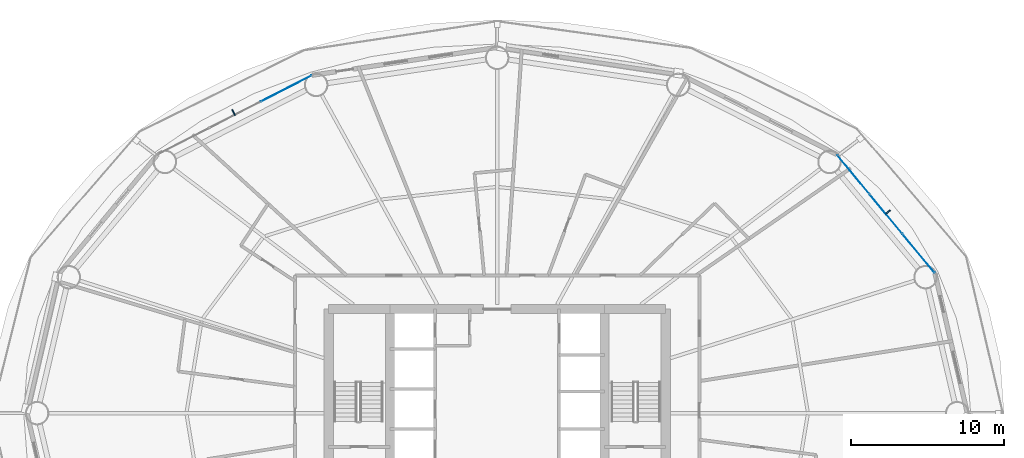
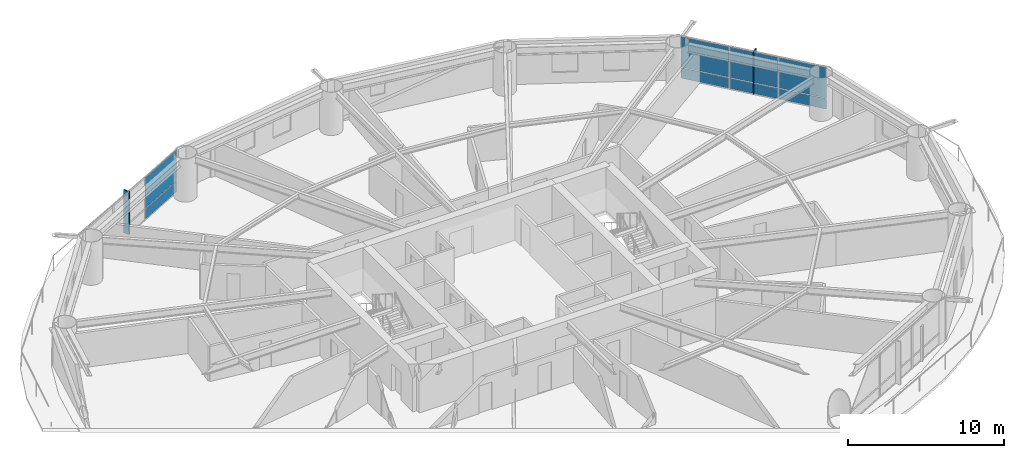
# One storey, part 18 of 26: 10 plates, 2 elements without a shape of their own.
"""IFC4 building model written with IfcOpenShell, lengths in metres."""

from ifc_helpers import new_model, si_unit, direction, frame, origin, origin_2d, place, context, subcontext, project, spatial, rectangle, extrude, material, layer, layer_set, type_object, element, aggregate, save


model = new_model("IFC4")

# Units and contexts
model_context = context("Model", 3, precision=1e-05, world=origin(), true_north=direction((0.0, 1.0)))
body_context = subcontext(model_context, "Body", "Model", "MODEL_VIEW")
ifc_project = project(units=[si_unit("LENGTHUNIT", "METRE"), si_unit("AREAUNIT", "SQUARE_METRE"), si_unit("VOLUMEUNIT", "CUBIC_METRE"), si_unit("PLANEANGLEUNIT", "RADIAN"), si_unit("MASSUNIT", "GRAM", prefix="KILO")], contexts=[model_context])

# Site, building, storey
site_placement = place(None, origin())
site = spatial("IfcSite", under=ifc_project, at=site_placement, CompositionType="ELEMENT")
building_placement = place(site_placement, origin())
building = spatial("IfcBuilding", under=site, at=building_placement, Name="Sarneth Arch Tower", CompositionType="ELEMENT")
storey_placement = place(building_placement, frame((0.0, 0.0, 64.199951171875)))
storey = spatial("IfcBuildingStorey", under=building, at=storey_placement, Name="L15", CompositionType="ELEMENT", Elevation=64.199951171875)

# Curtain wall, plates
ifc_material_1 = material(Name="Anodised aluminium Type AA25 and solar-control low-e laminated IGU", Category="aluminium")
ifc_layer_1 = layer(ifc_material_1, 0.159912109375)
ifc_layer_set_1 = layer_set([ifc_layer_1], Name="Anodised aluminium Type AA25 and solar-control low-e laminated IGU")
curtain_wall_type = type_object("IfcCurtainWallType", Name="CW-HOTEL-LOW", PredefinedType="NOTDEFINED", material=ifc_layer_set_1)
curtain_wall_1_placement = place(storey_placement, origin())
curtain_wall_1 = element("IfcCurtainWall", 1, at=curtain_wall_1_placement, inside=storey, type_object=curtain_wall_type, Name="L15 Unitised curtain wall facet 02", PredefinedType="NOTDEFINED")
ifc_material_2 = material(Name="Solar-control low-e laminated IGU", Category="glass")
ifc_layer_2 = layer(ifc_material_2, 0.028076171875)
ifc_layer_set_2 = layer_set([ifc_layer_2], Name="Solar-control low-e laminated IGU")
plate_type_1 = type_object("IfcPlateType", Name="CW-PANEL", PredefinedType="CURTAIN_PANEL", material=ifc_layer_set_2)
plate_1_placement = place(storey_placement, frame((75.503662109375, 52.441162109375, 0.06005859375), z_axis=(0.0, 0.0, 1.0), x_axis=(-0.637291340827, 0.770622960278, 0.0)))
plate_1 = element("IfcPlate", 2, at=plate_1_placement, type_object=plate_type_1, Name="Curtain wall glazed vision pane CW-L15-F02/P00-00", PredefinedType="CURTAIN_PANEL", context=body_context, shape_type="SweptSolid", body=[
    extrude(rectangle(XDim=3.260986328125, YDim=0.028076171875, at=origin_2d()), origin(), (0.0, 0.0, 1.0), 0.81005859375),
])
plate_2_placement = place(storey_placement, frame((75.503662109375, 52.441162109375, 0.93017578125), z_axis=(0.0, 0.0, 1.0), x_axis=(-0.637291340827, 0.770622960278, 0.0)))
plate_2 = element("IfcPlate", 3, at=plate_2_placement, type_object=plate_type_1, Name="Curtain wall glazed vision pane CW-L15-F02/P00-01", PredefinedType="CURTAIN_PANEL", context=body_context, shape_type="SweptSolid", body=[
    extrude(rectangle(XDim=3.260986328125, YDim=0.028076171875, at=origin_2d()), origin(), (0.0, 0.0, 1.0), 2.389892578125),
])
plate_3_placement = place(storey_placement, frame((73.37744140625, 55.01220703125, 0.06005859375), z_axis=(0.0, 0.0, 1.0), x_axis=(-0.637291340827, 0.770622960278, 0.0)))
plate_3 = element("IfcPlate", 4, at=plate_3_placement, type_object=plate_type_1, Name="Curtain wall glazed vision pane CW-L15-F02/P01-00", PredefinedType="CURTAIN_PANEL", context=body_context, shape_type="SweptSolid", body=[
    extrude(rectangle(XDim=3.291015625, YDim=0.028076171875, at=origin_2d()), origin(), (0.0, 0.0, 1.0), 0.81005859375),
])
plate_4_placement = place(storey_placement, frame((73.37744140625, 55.01220703125, 0.93017578125), z_axis=(0.0, 0.0, 1.0), x_axis=(-0.637291340827, 0.770622960278, 0.0)))
plate_4 = element("IfcPlate", 5, at=plate_4_placement, type_object=plate_type_1, Name="Curtain wall glazed vision pane CW-L15-F02/P01-01", PredefinedType="CURTAIN_PANEL", context=body_context, shape_type="SweptSolid", body=[
    extrude(rectangle(XDim=3.291015625, YDim=0.028076171875, at=origin_2d()), origin(), (0.0, 0.0, 1.0), 2.389892578125),
])
plate_5_placement = place(storey_placement, frame((71.25146484375, 57.5830078125, 0.06005859375), z_axis=(0.0, 0.0, 1.0), x_axis=(-0.637291340827, 0.770622960278, 0.0)))
plate_5 = element("IfcPlate", 6, at=plate_5_placement, type_object=plate_type_1, Name="Curtain wall glazed vision pane CW-L15-F02/P02-00", PredefinedType="CURTAIN_PANEL", context=body_context, shape_type="SweptSolid", body=[
    extrude(rectangle(XDim=3.260986328125, YDim=0.028076171875, at=origin_2d()), origin(), (0.0, 0.0, 1.0), 0.81005859375),
])
plate_6_placement = place(storey_placement, frame((71.25146484375, 57.5830078125, 0.93017578125), z_axis=(0.0, 0.0, 1.0), x_axis=(-0.637291340827, 0.770622960278, 0.0)))
plate_6 = element("IfcPlate", 7, at=plate_6_placement, type_object=plate_type_1, Name="Curtain wall glazed vision pane CW-L15-F02/P02-01", PredefinedType="CURTAIN_PANEL", context=body_context, shape_type="SweptSolid", body=[
    extrude(rectangle(XDim=3.260986328125, YDim=0.028076171875, at=origin_2d()), origin(), (0.0, 0.0, 1.0), 2.389892578125),
])
aggregate(curtain_wall_1, [plate_1, plate_2, plate_3, plate_4, plate_5, plate_6])

curtain_wall_2_placement = place(storey_placement, origin())
curtain_wall_2 = element("IfcCurtainWall", 8, at=curtain_wall_2_placement, inside=storey, type_object=curtain_wall_type, Name="L15 Unitised curtain wall facet 06", PredefinedType="NOTDEFINED")
plate_7_placement = place(storey_placement, frame((34.22607421875, 63.192626953125, 0.06005859375), z_axis=(0.0, 0.0, 1.0), x_axis=(-0.889854100456, -0.456245197127, 0.0)))
plate_7 = element("IfcPlate", 9, at=plate_7_placement, type_object=plate_type_1, Name="Curtain wall glazed vision pane CW-L15-F06/P00-00", PredefinedType="CURTAIN_PANEL", context=body_context, shape_type="SweptSolid", body=[
    extrude(rectangle(XDim=3.69189453125, YDim=0.028076171875, at=origin_2d()), origin(), (0.0, 0.0, 1.0), 0.81005859375),
])
plate_8_placement = place(storey_placement, frame((34.22607421875, 63.192626953125, 0.93017578125), z_axis=(0.0, 0.0, 1.0), x_axis=(-0.889854100456, -0.456245197127, 0.0)))
plate_8 = element("IfcPlate", 10, at=plate_8_placement, type_object=plate_type_1, Name="Curtain wall glazed vision pane CW-L15-F06/P00-01", PredefinedType="CURTAIN_PANEL", context=body_context, shape_type="SweptSolid", body=[
    extrude(rectangle(XDim=3.69189453125, YDim=0.028076171875, at=origin_2d()), origin(), (0.0, 0.0, 1.0), 2.389892578125),
])
aggregate(curtain_wall_2, [plate_7, plate_8])

# Plates
ifc_material_3 = material(Name="Extruded glazed terracotta baguette fin on Aluminium 6063-T6 carrier", Category="masonry")
ifc_layer_3 = layer(ifc_material_3, 0.080078125)
ifc_layer_set_3 = layer_set([ifc_layer_3], Name="Extruded glazed terracotta baguette fin on Aluminium 6063-T6 carrier")
plate_type_2 = type_object("IfcPlateType", Name="SHADE-TERRA-FIN", PredefinedType="SHEET", material=ifc_layer_set_3)
for number, where, z_axis, x_axis, name in (
    (11, (73.508544921875, 55.120361328125, 0.009765625), (0.0, 0.0, 1.0), (0.770624482513, 0.637289500111, 0.0), "L15 Terracotta vertical shading fin 02"),
    (12, (30.79638671875, 61.625244140625, 0.009765625), (0.0, 0.0, 1.0), (-0.4563215909, 0.889814927768, 0.0), "L15 Terracotta vertical shading fin 06"),
):
    element("IfcPlate", number, at=place(storey_placement, frame(where, z_axis=z_axis, x_axis=x_axis)), inside=storey, type_object=plate_type_2, Name=name, PredefinedType="SHEET", context=body_context, shape_type="SweptSolid", body=[
        extrude(rectangle(XDim=0.419921875, YDim=0.080078125, at=origin_2d()), origin(), (0.0, 0.0, 1.0), 3.360107421875),
    ])

save(model, "model.ifc")
